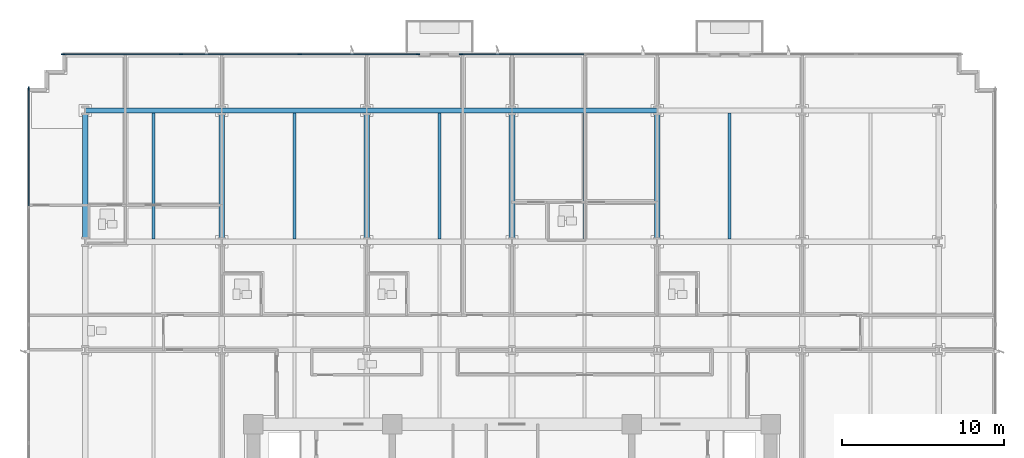
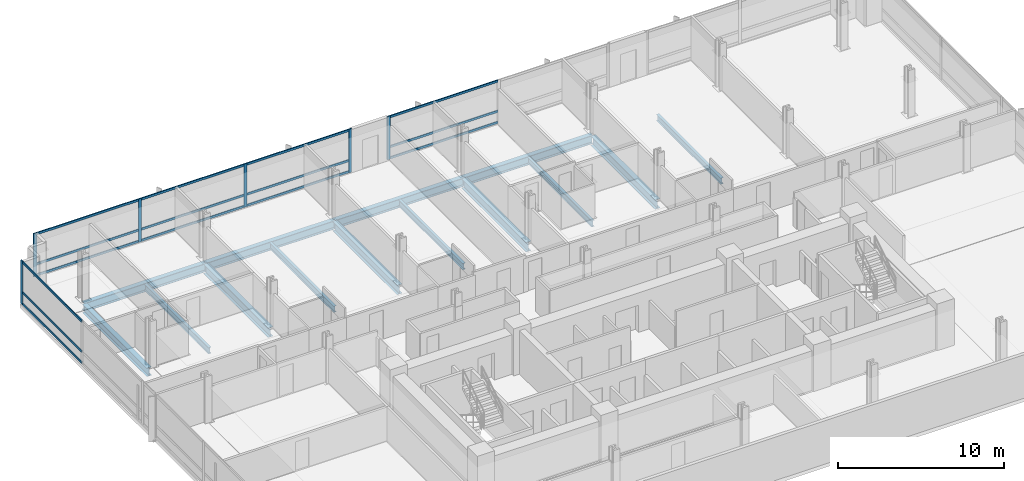
# One storey, part 5 of 16: 21 members, 14 beams, 3 elements without a shape of their own.
"""IFC4 building model written with IfcOpenShell, lengths in metres."""

from ifc_helpers import new_model, si_unit, direction, frame, origin, origin_2d, place, context, subcontext, project, spatial, rectangle, i_section, extrude, material, material_profile, profile_set, type_object, element, aggregate, save


model = new_model("IFC4")

# Units and contexts
model_context = context("Model", 3, precision=1e-05, world=origin(), true_north=direction((0.0, 1.0)))
body_context = subcontext(model_context, "Body", "Model", "MODEL_VIEW")
ifc_project = project(units=[si_unit("LENGTHUNIT", "METRE"), si_unit("AREAUNIT", "SQUARE_METRE"), si_unit("VOLUMEUNIT", "CUBIC_METRE"), si_unit("PLANEANGLEUNIT", "RADIAN"), si_unit("MASSUNIT", "GRAM", prefix="KILO")], contexts=[model_context])

# Site, building, storey
site_placement = place(None, origin())
site = spatial("IfcSite", under=ifc_project, at=site_placement, CompositionType="ELEMENT")
building_placement = place(site_placement, origin())
building = spatial("IfcBuilding", under=site, at=building_placement, Name="Solmavex Isthmus Hotel", CompositionType="ELEMENT")
storey_placement = place(building_placement, frame((0.0, 0.0, 29.85009765625)))
storey = spatial("IfcBuildingStorey", under=building, at=storey_placement, Name="L07", CompositionType="ELEMENT", Elevation=29.85009765625)

# Beams
ifc_material_1 = material(Name="Steel ASTM A992 Grade 50", Category="steel")
ifc_material_profile_1 = material_profile(ifc_material_1, i_section(OverallWidth=0.354736328125, OverallDepth=0.695556640625, WebThickness=0.015380859375, FlangeThickness=0.02490234375, FilletRadius=0.017822265625, at=origin_2d()), Name="W27X146")
ifc_profile_set_1 = profile_set([ifc_material_profile_1], Name="Steel ASTM A992 Grade 50")
beam_type_1 = type_object("IfcBeamType", Name="BM-BG-W27X146", PredefinedType="BEAM", material=ifc_profile_set_1)
for number, where, z_axis, x_axis, name in (
    (1, (-17.951904296875, 8.96533203125, -0.60791015625), (0.0, 1.0, 0.0), (-1.0, 0.0, 0.0), "Floor Beam L07-VG30"),
    (2, (-8.97607421875, 8.96533203125, -0.60791015625), (0.0, 1.0, 0.0), (-1.0, 0.0, 0.0), "Floor Beam L07-VG34"),
    (3, (0.0, 8.96533203125, -0.60791015625), (0.0, 1.0, 0.0), (-1.0, 0.0, 0.0), "Floor Beam L07-VG38"),
    (4, (8.97607421875, 8.96533203125, -0.60791015625), (0.0, 1.0, 0.0), (-1.0, 0.0, 0.0), "Floor Beam L07-VG42"),
):
    element("IfcBeam", number, at=place(storey_placement, frame(where, z_axis=z_axis, x_axis=x_axis)), inside=storey, type_object=beam_type_1, Name=name, PredefinedType="BEAM", context=body_context, shape_type="SweptSolid", body=[
        extrude(i_section(OverallWidth=0.354736328125, OverallDepth=0.695556640625, WebThickness=0.015380859375, FlangeThickness=0.02490234375, FilletRadius=0.017822265625, at=origin_2d()), origin(), (0.0, 0.0, 1.0), 7.771484375),
    ])
ifc_material_profile_2 = material_profile(ifc_material_1, i_section(OverallWidth=0.1904296875, OverallDepth=0.456787109375, WebThickness=0.009033203125, FlangeThickness=0.014404296875, FilletRadius=0.0126953125, at=origin_2d()), Name="W18X50")
ifc_profile_set_2 = profile_set([ifc_material_profile_2], Name="Steel ASTM A992 Grade 50")
beam_type_2 = type_object("IfcBeamType", Name="BM-BJ-W18X50", PredefinedType="JOIST", material=ifc_profile_set_2)
for number, where, z_axis, x_axis, name in (
    (5, (-22.176025390625, 8.96533203125, -0.488525390625), (0.0, 1.0, 0.0), (-1.0, 0.0, 0.0), "Secondary Floor Joist L07-J03"),
    (6, (-13.464111328125, 8.96533203125, -0.488525390625), (0.0, 1.0, 0.0), (-1.0, 0.0, 0.0), "Secondary Floor Joist L07-J07"),
    (7, (-4.488037109375, 8.96533203125, -0.488525390625), (0.0, 1.0, 0.0), (-1.0, 0.0, 0.0), "Secondary Floor Joist L07-J11"),
    (8, (4.488037109375, 8.96533203125, -0.488525390625), (0.0, 1.0, 0.0), (-1.0, 0.0, 0.0), "Secondary Floor Joist L07-J15"),
    (9, (13.464111328125, 8.96533203125, -0.488525390625), (0.0, 1.0, 0.0), (-1.0, 0.0, 0.0), "Secondary Floor Joist L07-J19"),
):
    element("IfcBeam", number, at=place(storey_placement, frame(where, z_axis=z_axis, x_axis=x_axis)), inside=storey, type_object=beam_type_2, Name=name, PredefinedType="JOIST", context=body_context, shape_type="SweptSolid", body=[
        extrude(i_section(OverallWidth=0.1904296875, OverallDepth=0.456787109375, WebThickness=0.009033203125, FlangeThickness=0.014404296875, FilletRadius=0.0126953125, at=origin_2d()), origin(), (0.0, 0.0, 1.0), 7.771484375),
    ])
ifc_material_profile_3 = material_profile(ifc_material_1, i_section(OverallWidth=0.326416015625, OverallDepth=0.621826171875, WebThickness=0.015380859375, FlangeThickness=0.0244140625, FilletRadius=0.01513671875, at=origin_2d()), Name="W24X131")
ifc_profile_set_3 = profile_set([ifc_material_profile_3], Name="Steel ASTM A992 Grade 50")
beam_type_3 = type_object("IfcBeamType", Name="BM-SP-W24X131", PredefinedType="SPANDREL", material=ifc_profile_set_3)
beam_1_placement = place(storey_placement, frame((-26.39990234375, 16.89990234375, -0.571044921875), z_axis=(1.0, 0.0, 0.0), x_axis=(0.0, 1.0, 0.0)))
element("IfcBeam", 10, at=beam_1_placement, inside=storey, type_object=beam_type_3, Name="Floor Girder L07-UG19", PredefinedType="SPANDREL", context=body_context, shape_type="SweptSolid", body=[
    extrude(i_section(OverallWidth=0.326416015625, OverallDepth=0.621826171875, WebThickness=0.015380859375, FlangeThickness=0.0244140625, FilletRadius=0.01513671875, at=origin_2d()), origin(), (0.0, 0.0, 1.0), 8.447998046875),
])
beam_2_placement = place(storey_placement, frame((-17.951904296875, 16.89990234375, -0.571044921875), z_axis=(1.0, 0.0, 0.0), x_axis=(0.0, 1.0, 0.0)))
element("IfcBeam", 11, at=beam_2_placement, inside=storey, type_object=beam_type_3, Name="Floor Girder L07-UG20", PredefinedType="SPANDREL", context=body_context, shape_type="SweptSolid", body=[
    extrude(i_section(OverallWidth=0.326416015625, OverallDepth=0.621826171875, WebThickness=0.015380859375, FlangeThickness=0.0244140625, FilletRadius=0.01513671875, at=origin_2d()), origin(), (0.0, 0.0, 1.0), 8.975830078125),
])
for number, where, z_axis, x_axis, name in (
    (12, (-8.97607421875, 16.89990234375, -0.571044921875), (1.0, 0.0, 0.0), (0.0, 1.0, 0.0), "Floor Girder L07-UG21"),
    (13, (0.0, 16.89990234375, -0.571044921875), (1.0, 0.0, 0.0), (0.0, 1.0, 0.0), "Floor Girder L07-UG22"),
):
    element("IfcBeam", number, at=place(storey_placement, frame(where, z_axis=z_axis, x_axis=x_axis)), inside=storey, type_object=beam_type_3, Name=name, PredefinedType="SPANDREL", context=body_context, shape_type="SweptSolid", body=[
        extrude(i_section(OverallWidth=0.326416015625, OverallDepth=0.621826171875, WebThickness=0.015380859375, FlangeThickness=0.0244140625, FilletRadius=0.01513671875, at=origin_2d()), origin(), (0.0, 0.0, 1.0), 8.97607421875),
    ])
beam_3_placement = place(storey_placement, frame((-26.39990234375, 8.96533203125, -0.571044921875), z_axis=(0.0, 1.0, 0.0), x_axis=(-1.0, 0.0, 0.0)))
element("IfcBeam", 14, at=beam_3_placement, inside=storey, type_object=beam_type_3, Name="Floor Beam L07-VG27", PredefinedType="SPANDREL", context=body_context, shape_type="SweptSolid", body=[
    extrude(i_section(OverallWidth=0.326416015625, OverallDepth=0.621826171875, WebThickness=0.015380859375, FlangeThickness=0.0244140625, FilletRadius=0.01513671875, at=origin_2d()), origin(), (0.0, 0.0, 1.0), 7.771484375),
])

# Curtain wall, members
ifc_material_2 = material(Name="Aluminium alloy 6063-T6", Category="aluminium")
curtain_wall_type = type_object("IfcCurtainWallType", Name="CW-SYS-02", PredefinedType="NOTDEFINED", material=ifc_material_2)
curtain_wall_1_placement = place(storey_placement, origin())
curtain_wall_1 = element("IfcCurtainWall", 15, at=curtain_wall_1_placement, inside=storey, type_object=curtain_wall_type, Name="Stick Curtain Wall CWL-L07-N1", PredefinedType="NOTDEFINED")
ifc_material_profile_4 = material_profile(ifc_material_2, rectangle(XDim=0.074951171875, YDim=0.219970703125, at=origin_2d()), Name="CWM-75X220")
ifc_profile_set_4 = profile_set([ifc_material_profile_4], Name="Aluminium alloy 6063-T6")
member_type_1 = type_object("IfcMemberType", Name="CW-SYS-02-MUL", PredefinedType="MULLION", material=ifc_profile_set_4)
member_1_placement = place(storey_placement, frame((-27.762451171875, 20.3798828125, 0.0), z_axis=(0.0, 0.0, 1.0), x_axis=(0.0, 1.0, 0.0)))
member_1 = element("IfcMember", 16, at=member_1_placement, type_object=member_type_1, Name="CW-02 mullion 1", PredefinedType="MULLION", context=body_context, shape_type="SweptSolid", body=[
    extrude(rectangle(XDim=0.074951171875, YDim=0.219970703125, at=origin_2d()), origin(), (0.0, 0.0, 1.0), 3.18994140625),
])
member_2_placement = place(storey_placement, frame((-20.462646484375, 20.3798828125, 0.0), z_axis=(0.0, 0.0, 1.0), x_axis=(0.0, 1.0, 0.0)))
member_2 = element("IfcMember", 17, at=member_2_placement, type_object=member_type_1, Name="CW-02 mullion 2", PredefinedType="MULLION", context=body_context, shape_type="SweptSolid", body=[
    extrude(rectangle(XDim=0.074951171875, YDim=0.219970703125, at=origin_2d()), origin(), (0.0, 0.0, 1.0), 3.18994140625),
])
member_3_placement = place(storey_placement, frame((-13.125244140625, 20.3798828125, 0.0), z_axis=(0.0, 0.0, 1.0), x_axis=(0.0, 1.0, 0.0)))
member_3 = element("IfcMember", 18, at=member_3_placement, type_object=member_type_1, Name="CW-02 mullion 3", PredefinedType="MULLION", context=body_context, shape_type="SweptSolid", body=[
    extrude(rectangle(XDim=0.074951171875, YDim=0.219970703125, at=origin_2d()), origin(), (0.0, 0.0, 1.0), 3.18994140625),
])
member_4_placement = place(storey_placement, frame((-5.825439453125, 20.3798828125, 0.0), z_axis=(0.0, 0.0, 1.0), x_axis=(0.0, 1.0, 0.0)))
member_4 = element("IfcMember", 19, at=member_4_placement, type_object=member_type_1, Name="CW-02 mullion 4", PredefinedType="MULLION", context=body_context, shape_type="SweptSolid", body=[
    extrude(rectangle(XDim=0.074951171875, YDim=0.219970703125, at=origin_2d()), origin(), (0.0, 0.0, 1.0), 3.18994140625),
])

# Curtain wall, member
curtain_wall_2_placement = place(storey_placement, origin())
curtain_wall_2 = element("IfcCurtainWall", 20, at=curtain_wall_2_placement, inside=storey, type_object=curtain_wall_type, Name="Stick Curtain Wall CWL-L07-N2", PredefinedType="NOTDEFINED")
member_5_placement = place(storey_placement, frame((-3.150390625, 20.3798828125, 0.0), z_axis=(0.0, 0.0, 1.0), x_axis=(0.0, 1.0, 0.0)))
member_5 = element("IfcMember", 21, at=member_5_placement, type_object=member_type_1, Name="CW-02 mullion 1", PredefinedType="MULLION", context=body_context, shape_type="SweptSolid", body=[
    extrude(rectangle(XDim=0.074951171875, YDim=0.219970703125, at=origin_2d()), origin(), (0.0, 0.0, 1.0), 3.18994140625),
])

curtain_wall_3_placement = place(storey_placement, origin())
curtain_wall_3 = element("IfcCurtainWall", 22, at=curtain_wall_3_placement, inside=storey, type_object=curtain_wall_type, Name="Stick Curtain Wall CWL-L07-W1", PredefinedType="NOTDEFINED")
member_6_placement = place(storey_placement, frame((-29.8798828125, 18.262451171875, 0.0), z_axis=(0.0, 0.0, 1.0), x_axis=(-1.0, 0.0, 0.0)))
member_6 = element("IfcMember", 23, at=member_6_placement, type_object=member_type_1, Name="CW-02 mullion 6", PredefinedType="MULLION", context=body_context, shape_type="SweptSolid", body=[
    extrude(rectangle(XDim=0.074951171875, YDim=0.219970703125, at=origin_2d()), origin(), (0.0, 0.0, 1.0), 3.18994140625),
])

# Member
ifc_material_profile_5 = material_profile(ifc_material_2, rectangle(XDim=0.074951171875, YDim=0.159912109375, at=origin_2d()), Name="CWT-75X160")
ifc_profile_set_5 = profile_set([ifc_material_profile_5], Name="Aluminium alloy 6063-T6")
member_type_2 = type_object("IfcMemberType", Name="CW-SYS-02-TRN", PredefinedType="USERDEFINED", material=ifc_profile_set_5)
member_7_placement = place(storey_placement, frame((-27.72509765625, 20.3798828125, 0.079833984375), z_axis=(1.0, 0.0, 0.0), x_axis=(0.0, 1.0, 0.0)))
member_7 = element("IfcMember", 24, at=member_7_placement, type_object=member_type_2, Name="CW-02 transom 1.1", ObjectType="TRANSOM", PredefinedType="USERDEFINED", context=body_context, shape_type="SweptSolid", body=[
    extrude(rectangle(XDim=0.074951171875, YDim=0.159912109375, at=origin_2d()), origin(), (0.0, 0.0, 1.0), 7.224853515625),
])

member_8_placement = place(storey_placement, frame((-27.72509765625, 20.3798828125, 0.89990234375), z_axis=(1.0, 0.0, 0.0), x_axis=(0.0, 1.0, 0.0)))
member_8 = element("IfcMember", 25, at=member_8_placement, type_object=member_type_2, Name="CW-02 transom 1.2", ObjectType="TRANSOM", PredefinedType="USERDEFINED", context=body_context, shape_type="SweptSolid", body=[
    extrude(rectangle(XDim=0.074951171875, YDim=0.159912109375, at=origin_2d()), origin(), (0.0, 0.0, 1.0), 7.224853515625),
])

member_9_placement = place(storey_placement, frame((-27.72509765625, 20.3798828125, 3.10986328125), z_axis=(1.0, 0.0, 0.0), x_axis=(0.0, 1.0, 0.0)))
member_9 = element("IfcMember", 26, at=member_9_placement, type_object=member_type_2, Name="CW-02 transom 1.3", ObjectType="TRANSOM", PredefinedType="USERDEFINED", context=body_context, shape_type="SweptSolid", body=[
    extrude(rectangle(XDim=0.074951171875, YDim=0.159912109375, at=origin_2d()), origin(), (0.0, 0.0, 1.0), 7.224853515625),
])

member_10_placement = place(storey_placement, frame((-20.425048828125, 20.3798828125, 0.079833984375), z_axis=(1.0, 0.0, 0.0), x_axis=(0.0, 1.0, 0.0)))
member_10 = element("IfcMember", 27, at=member_10_placement, type_object=member_type_2, Name="CW-02 transom 2.1", ObjectType="TRANSOM", PredefinedType="USERDEFINED", context=body_context, shape_type="SweptSolid", body=[
    extrude(rectangle(XDim=0.074951171875, YDim=0.159912109375, at=origin_2d()), origin(), (0.0, 0.0, 1.0), 7.26220703125),
])

member_11_placement = place(storey_placement, frame((-20.425048828125, 20.3798828125, 0.89990234375), z_axis=(1.0, 0.0, 0.0), x_axis=(0.0, 1.0, 0.0)))
member_11 = element("IfcMember", 28, at=member_11_placement, type_object=member_type_2, Name="CW-02 transom 2.2", ObjectType="TRANSOM", PredefinedType="USERDEFINED", context=body_context, shape_type="SweptSolid", body=[
    extrude(rectangle(XDim=0.074951171875, YDim=0.159912109375, at=origin_2d()), origin(), (0.0, 0.0, 1.0), 7.26220703125),
])

member_12_placement = place(storey_placement, frame((-20.425048828125, 20.3798828125, 3.10986328125), z_axis=(1.0, 0.0, 0.0), x_axis=(0.0, 1.0, 0.0)))
member_12 = element("IfcMember", 29, at=member_12_placement, type_object=member_type_2, Name="CW-02 transom 2.3", ObjectType="TRANSOM", PredefinedType="USERDEFINED", context=body_context, shape_type="SweptSolid", body=[
    extrude(rectangle(XDim=0.074951171875, YDim=0.159912109375, at=origin_2d()), origin(), (0.0, 0.0, 1.0), 7.26220703125),
])

member_13_placement = place(storey_placement, frame((-13.087890625, 20.3798828125, 0.079833984375), z_axis=(1.0, 0.0, 0.0), x_axis=(0.0, 1.0, 0.0)))
member_13 = element("IfcMember", 30, at=member_13_placement, type_object=member_type_2, Name="CW-02 transom 3.1", ObjectType="TRANSOM", PredefinedType="USERDEFINED", context=body_context, shape_type="SweptSolid", body=[
    extrude(rectangle(XDim=0.074951171875, YDim=0.159912109375, at=origin_2d()), origin(), (0.0, 0.0, 1.0), 7.224853515625),
])

member_14_placement = place(storey_placement, frame((-13.087890625, 20.3798828125, 0.89990234375), z_axis=(1.0, 0.0, 0.0), x_axis=(0.0, 1.0, 0.0)))
member_14 = element("IfcMember", 31, at=member_14_placement, type_object=member_type_2, Name="CW-02 transom 3.2", ObjectType="TRANSOM", PredefinedType="USERDEFINED", context=body_context, shape_type="SweptSolid", body=[
    extrude(rectangle(XDim=0.074951171875, YDim=0.159912109375, at=origin_2d()), origin(), (0.0, 0.0, 1.0), 7.224853515625),
])

member_15_placement = place(storey_placement, frame((-13.087890625, 20.3798828125, 3.10986328125), z_axis=(1.0, 0.0, 0.0), x_axis=(0.0, 1.0, 0.0)))
member_15 = element("IfcMember", 32, at=member_15_placement, type_object=member_type_2, Name="CW-02 transom 3.3", ObjectType="TRANSOM", PredefinedType="USERDEFINED", context=body_context, shape_type="SweptSolid", body=[
    extrude(rectangle(XDim=0.074951171875, YDim=0.159912109375, at=origin_2d()), origin(), (0.0, 0.0, 1.0), 7.224853515625),
])

aggregate(curtain_wall_1, [member_1, member_2, member_3, member_4, member_7, member_8, member_9, member_10, member_11, member_12, member_13, member_14, member_15])

member_16_placement = place(storey_placement, frame((-3.113037109375, 20.3798828125, 0.079833984375), z_axis=(1.0, 0.0, 0.0), x_axis=(0.0, 1.0, 0.0)))
member_16 = element("IfcMember", 33, at=member_16_placement, type_object=member_type_2, Name="CW-02 transom 1.1", ObjectType="TRANSOM", PredefinedType="USERDEFINED", context=body_context, shape_type="SweptSolid", body=[
    extrude(rectangle(XDim=0.074951171875, YDim=0.159912109375, at=origin_2d()), origin(), (0.0, 0.0, 1.0), 7.5634765625),
])

member_17_placement = place(storey_placement, frame((-3.113037109375, 20.3798828125, 0.89990234375), z_axis=(1.0, 0.0, 0.0), x_axis=(0.0, 1.0, 0.0)))
member_17 = element("IfcMember", 34, at=member_17_placement, type_object=member_type_2, Name="CW-02 transom 1.2", ObjectType="TRANSOM", PredefinedType="USERDEFINED", context=body_context, shape_type="SweptSolid", body=[
    extrude(rectangle(XDim=0.074951171875, YDim=0.159912109375, at=origin_2d()), origin(), (0.0, 0.0, 1.0), 7.5634765625),
])

member_18_placement = place(storey_placement, frame((-3.113037109375, 20.3798828125, 3.10986328125), z_axis=(1.0, 0.0, 0.0), x_axis=(0.0, 1.0, 0.0)))
member_18 = element("IfcMember", 35, at=member_18_placement, type_object=member_type_2, Name="CW-02 transom 1.3", ObjectType="TRANSOM", PredefinedType="USERDEFINED", context=body_context, shape_type="SweptSolid", body=[
    extrude(rectangle(XDim=0.074951171875, YDim=0.159912109375, at=origin_2d()), origin(), (0.0, 0.0, 1.0), 7.5634765625),
])

aggregate(curtain_wall_2, [member_5, member_16, member_17, member_18])

member_19_placement = place(storey_placement, frame((-29.8798828125, 11.017578125, 0.079833984375), z_axis=(0.0, 1.0, 0.0), x_axis=(-1.0, 0.0, 0.0)))
member_19 = element("IfcMember", 36, at=member_19_placement, type_object=member_type_2, Name="CW-02 transom 5.1", ObjectType="TRANSOM", PredefinedType="USERDEFINED", context=body_context, shape_type="SweptSolid", body=[
    extrude(rectangle(XDim=0.074951171875, YDim=0.159912109375, at=origin_2d()), origin(), (0.0, 0.0, 1.0), 7.20751953125),
])

member_20_placement = place(storey_placement, frame((-29.8798828125, 11.017578125, 0.89990234375), z_axis=(0.0, 1.0, 0.0), x_axis=(-1.0, 0.0, 0.0)))
member_20 = element("IfcMember", 37, at=member_20_placement, type_object=member_type_2, Name="CW-02 transom 5.2", ObjectType="TRANSOM", PredefinedType="USERDEFINED", context=body_context, shape_type="SweptSolid", body=[
    extrude(rectangle(XDim=0.074951171875, YDim=0.159912109375, at=origin_2d()), origin(), (0.0, 0.0, 1.0), 7.20751953125),
])

member_21_placement = place(storey_placement, frame((-29.8798828125, 11.017578125, 3.10986328125), z_axis=(0.0, 1.0, 0.0), x_axis=(-1.0, 0.0, 0.0)))
member_21 = element("IfcMember", 38, at=member_21_placement, type_object=member_type_2, Name="CW-02 transom 5.3", ObjectType="TRANSOM", PredefinedType="USERDEFINED", context=body_context, shape_type="SweptSolid", body=[
    extrude(rectangle(XDim=0.074951171875, YDim=0.159912109375, at=origin_2d()), origin(), (0.0, 0.0, 1.0), 7.20751953125),
])

aggregate(curtain_wall_3, [member_6, member_19, member_20, member_21])

save(model, "model.ifc")
